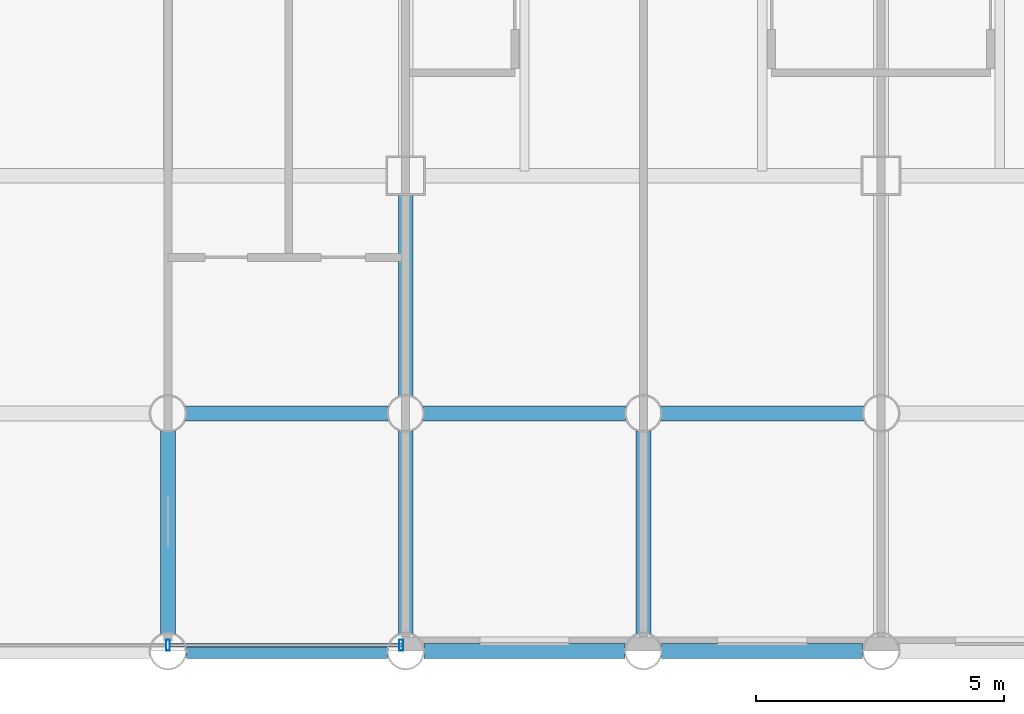
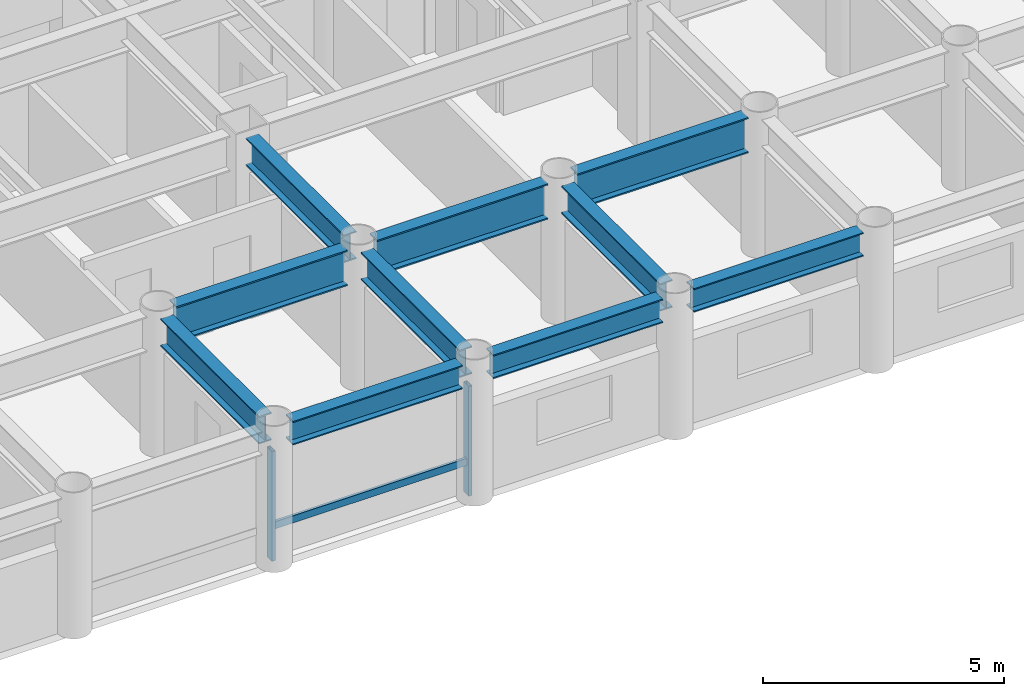
# One storey, part 6 of 21: 10 beams, 3 members, 1 element without a shape of its own.
"""IFC4 building model written with IfcOpenShell, lengths in metres."""

from ifc_helpers import new_model, si_unit, direction, frame, origin, origin_2d, place, context, subcontext, project, spatial, hollow_rectangle, i_section, extrude, material, layer, layer_set, material_profile, profile_set, type_object, element, aggregate, save


model = new_model("IFC4")

# Units and contexts
model_context = context("Model", 3, precision=1e-05, world=origin(), true_north=direction((0.0, 1.0)))
body_context = subcontext(model_context, "Body", "Model", "MODEL_VIEW")
ifc_project = project(units=[si_unit("LENGTHUNIT", "METRE"), si_unit("AREAUNIT", "SQUARE_METRE"), si_unit("VOLUMEUNIT", "CUBIC_METRE"), si_unit("PLANEANGLEUNIT", "RADIAN"), si_unit("MASSUNIT", "GRAM", prefix="KILO")], contexts=[model_context])

# Site, building, storey
site_placement = place(None, origin())
site = spatial("IfcSite", under=ifc_project, at=site_placement, CompositionType="ELEMENT")
building_placement = place(site_placement, origin())
building = spatial("IfcBuilding", under=site, at=building_placement, Name="Kallvorn Hotel Tower", CompositionType="ELEMENT")
storey_placement = place(building_placement, frame((0.0, 0.0, 44.800048828125)))
storey = spatial("IfcBuildingStorey", under=building, at=storey_placement, Name="L09", CompositionType="ELEMENT", Elevation=44.800048828125)

# Beams
ifc_material_1 = material(Name="Structural steel S355JR", Category="steel")
ifc_material_profile_1 = material_profile(ifc_material_1, i_section(OverallWidth=0.300048828125, OverallDepth=0.60009765625, WebThickness=0.015380859375, FlangeThickness=0.030029296875, at=origin_2d()), Name="HE 600 B")
ifc_profile_set_1 = profile_set([ifc_material_profile_1], Name="Structural steel S355JR")
beam_type_1 = type_object("IfcBeamType", Name="BM_HE600B", PredefinedType="SPANDREL", material=ifc_profile_set_1)
beam_1_placement = place(storey_placement, frame((0.37109375, -24.0, 3.219970703125), z_axis=(1.0, 0.0, 0.0), x_axis=(0.0, 1.0, 0.0)))
element("IfcBeam", 1, at=beam_1_placement, inside=storey, type_object=beam_type_1, Name="L10 Perimeter Spandrel 157", PredefinedType="SPANDREL", context=body_context, shape_type="SweptSolid", body=[
    extrude(i_section(OverallWidth=0.300048828125, OverallDepth=0.60009765625, WebThickness=0.015380859375, FlangeThickness=0.030029296875, at=origin_2d()), origin(), (0.0, 0.0, 1.0), 4.057861328125),
])
for number, where, z_axis, x_axis, name in (
    (2, (5.1708984375, -24.0, 3.219970703125), (1.0, 0.0, 0.0), (0.0, 1.0, 0.0), "L10 Perimeter Spandrel 158"),
    (3, (9.970947265625, -24.0, 3.219970703125), (1.0, 0.0, 0.0), (0.0, 1.0, 0.0), "L10 Perimeter Spandrel 159"),
):
    element("IfcBeam", number, at=place(storey_placement, frame(where, z_axis=z_axis, x_axis=x_axis)), inside=storey, type_object=beam_type_1, Name=name, PredefinedType="SPANDREL", context=body_context, shape_type="SweptSolid", body=[
        extrude(i_section(OverallWidth=0.300048828125, OverallDepth=0.60009765625, WebThickness=0.015380859375, FlangeThickness=0.030029296875, at=origin_2d()), origin(), (0.0, 0.0, 1.0), 4.05810546875),
    ])
ifc_material_2 = material(Name="Structural steel S355JR", Category="steel")
ifc_material_profile_2 = material_profile(ifc_material_2, i_section(OverallWidth=0.300048828125, OverallDepth=0.699951171875, WebThickness=0.01708984375, FlangeThickness=0.031982421875, at=origin_2d()), Name="HE 700 B")
ifc_profile_set_2 = profile_set([ifc_material_profile_2], Name="Structural steel S355JR")
beam_type_2 = type_object("IfcBeamType", Name="BM_HE700B", PredefinedType="BEAM", material=ifc_profile_set_2)
for number, where, z_axis, x_axis, name in (
    (4, (0.0, -23.64404296875, 3.169921875), (0.0, 1.0, 0.0), (-1.0, 0.0, 0.0), "L10 Primary Y-Girder 111"),
    (5, (4.800048828125, -23.64404296875, 3.169921875), (0.0, 1.0, 0.0), (-1.0, 0.0, 0.0), "L10 Primary Y-Girder 114"),
):
    element("IfcBeam", number, at=place(storey_placement, frame(where, z_axis=z_axis, x_axis=x_axis)), inside=storey, type_object=beam_type_2, Name=name, PredefinedType="BEAM", context=body_context, shape_type="SweptSolid", body=[
        extrude(i_section(OverallWidth=0.300048828125, OverallDepth=0.699951171875, WebThickness=0.01708984375, FlangeThickness=0.031982421875, at=origin_2d()), origin(), (0.0, 0.0, 1.0), 4.088134765625),
    ])
beam_2_placement = place(storey_placement, frame((4.800048828125, -18.843994140625, 3.169921875), z_axis=(0.0, 1.0, 0.0), x_axis=(-1.0, 0.0, 0.0)))
element("IfcBeam", 6, at=beam_2_placement, inside=storey, type_object=beam_type_2, Name="L10 Primary Y-Girder 115", PredefinedType="BEAM", context=body_context, shape_type="SweptSolid", body=[
    extrude(i_section(OverallWidth=0.300048828125, OverallDepth=0.699951171875, WebThickness=0.01708984375, FlangeThickness=0.031982421875, at=origin_2d()), origin(), (0.0, 0.0, 1.0), 4.069091796875),
])
beam_3_placement = place(storey_placement, frame((9.60009765625, -23.64404296875, 3.169921875), z_axis=(0.0, 1.0, 0.0), x_axis=(-1.0, 0.0, 0.0)))
element("IfcBeam", 7, at=beam_3_placement, inside=storey, type_object=beam_type_2, Name="L10 Primary Y-Girder 119", PredefinedType="BEAM", context=body_context, shape_type="SweptSolid", body=[
    extrude(i_section(OverallWidth=0.300048828125, OverallDepth=0.699951171875, WebThickness=0.01708984375, FlangeThickness=0.031982421875, at=origin_2d()), origin(), (0.0, 0.0, 1.0), 4.088134765625),
])
ifc_material_3 = material(Name="Structural steel S355JR", Category="steel")
ifc_material_profile_3 = material_profile(ifc_material_3, i_section(OverallWidth=0.300048828125, OverallDepth=0.89990234375, WebThickness=0.0185546875, FlangeThickness=0.034912109375, at=origin_2d()), Name="HE 900 B")
ifc_profile_set_3 = profile_set([ifc_material_profile_3], Name="Structural steel S355JR")
beam_type_3 = type_object("IfcBeamType", Name="BM_HE900B", PredefinedType="BEAM", material=ifc_profile_set_3)
beam_4_placement = place(storey_placement, frame((0.35595703125, -19.199951171875, 3.070068359375), z_axis=(1.0, 0.0, 0.0), x_axis=(0.0, 1.0, 0.0)))
element("IfcBeam", 8, at=beam_4_placement, inside=storey, type_object=beam_type_3, Name="L10 Primary X-Girder 08", PredefinedType="BEAM", context=body_context, shape_type="SweptSolid", body=[
    extrude(i_section(OverallWidth=0.300048828125, OverallDepth=0.89990234375, WebThickness=0.0185546875, FlangeThickness=0.034912109375, at=origin_2d()), origin(), (0.0, 0.0, 1.0), 4.088134765625),
])
for number, where, z_axis, x_axis, name in (
    (9, (5.156005859375, -19.199951171875, 3.070068359375), (1.0, 0.0, 0.0), (0.0, 1.0, 0.0), "L10 Primary X-Girder 09"),
    (10, (9.9560546875, -19.199951171875, 3.070068359375), (1.0, 0.0, 0.0), (0.0, 1.0, 0.0), "L10 Primary X-Girder 10"),
):
    element("IfcBeam", number, at=place(storey_placement, frame(where, z_axis=z_axis, x_axis=x_axis)), inside=storey, type_object=beam_type_3, Name=name, PredefinedType="BEAM", context=body_context, shape_type="SweptSolid", body=[
        extrude(i_section(OverallWidth=0.300048828125, OverallDepth=0.89990234375, WebThickness=0.0185546875, FlangeThickness=0.034912109375, at=origin_2d()), origin(), (0.0, 0.0, 1.0), 4.087890625),
    ])

# Curtain wall, members
ifc_material_4 = material(Name="Thermally broken black-anodised aluminium AA 6063-T6", Category="aluminium")
ifc_layer = layer(ifc_material_4, 0.199951171875)
ifc_layer_set = layer_set([ifc_layer], Name="CW_SYS_3_HOTEL_LOW")
curtain_wall_type = type_object("IfcCurtainWallType", Name="CW_SYS_3_HOTEL_LOW", PredefinedType="USERDEFINED", material=ifc_layer_set)
curtain_wall_placement = place(storey_placement, origin())
curtain_wall = element("IfcCurtainWall", 11, at=curtain_wall_placement, inside=storey, type_object=curtain_wall_type, Name="L09 Dark-Glass Curtain Wall CW-L09-SC", ObjectType="UNITISED CURTAIN WALL", PredefinedType="USERDEFINED")
ifc_material_5 = material(Name="Thermally broken black-anodised aluminium AA 6063-T6", Category="aluminium")
ifc_material_profile_4 = material_profile(ifc_material_5, hollow_rectangle(XDim=0.080078125, YDim=0.219970703125, WallThickness=0.0048828125, at=origin_2d()), Name="MUL 220x80")
ifc_profile_set_4 = profile_set([ifc_material_profile_4], Name="Thermally broken black-anodised aluminium AA 6063-T6")
member_type_1 = type_object("IfcMemberType", Name="CW_MULLION_220x80", PredefinedType="MULLION", material=ifc_profile_set_4)
member_1_placement = place(storey_placement, frame((0.0, -23.8798828125, 0.02001953125), z_axis=(0.0, 0.0, 1.0), x_axis=(1.0, 0.0, 0.0)))
member_1 = element("IfcMember", 12, at=member_1_placement, type_object=member_type_1, Name="CW-L09-SC Mullion 01", PredefinedType="MULLION", context=body_context, shape_type="SweptSolid", body=[
    extrude(hollow_rectangle(XDim=0.080078125, YDim=0.219970703125, WallThickness=0.0048828125, at=origin_2d()), origin(), (0.0, 0.0, 1.0), 2.780029296875),
])
member_2_placement = place(storey_placement, frame((4.7099609375, -23.8798828125, 0.02001953125), z_axis=(0.0, 0.0, 1.0), x_axis=(1.0, 0.0, 0.0)))
member_2 = element("IfcMember", 13, at=member_2_placement, type_object=member_type_1, Name="CW-L09-SC Mullion 02", PredefinedType="MULLION", context=body_context, shape_type="SweptSolid", body=[
    extrude(hollow_rectangle(XDim=0.080078125, YDim=0.219970703125, WallThickness=0.0048828125, at=origin_2d()), origin(), (0.0, 0.0, 1.0), 2.780029296875),
])
ifc_material_6 = material(Name="Thermally broken black-anodised aluminium AA 6063-T6", Category="aluminium")
ifc_material_profile_5 = material_profile(ifc_material_6, hollow_rectangle(XDim=0.070068359375, YDim=0.179931640625, WallThickness=0.00390625, at=origin_2d()), Name="TRN 180x70")
ifc_profile_set_5 = profile_set([ifc_material_profile_5], Name="Thermally broken black-anodised aluminium AA 6063-T6")
member_type_2 = type_object("IfcMemberType", Name="CW_TRANSOM_180x70", PredefinedType="USERDEFINED", material=ifc_profile_set_5)
member_3_placement = place(storey_placement, frame((0.0400390625, -23.8798828125, 0.849853515625), z_axis=(1.0, 0.0, 0.0), x_axis=(0.0, 1.0, 0.0)))
member_3 = element("IfcMember", 14, at=member_3_placement, type_object=member_type_2, Name="CW-L09-SC Transom 01M", ObjectType="TRANSOM", PredefinedType="USERDEFINED", context=body_context, shape_type="SweptSolid", body=[
    extrude(hollow_rectangle(XDim=0.070068359375, YDim=0.179931640625, WallThickness=0.00390625, at=origin_2d()), origin(), (0.0, 0.0, 1.0), 4.669921875),
])
aggregate(curtain_wall, [member_1, member_2, member_3])

save(model, "model.ifc")
